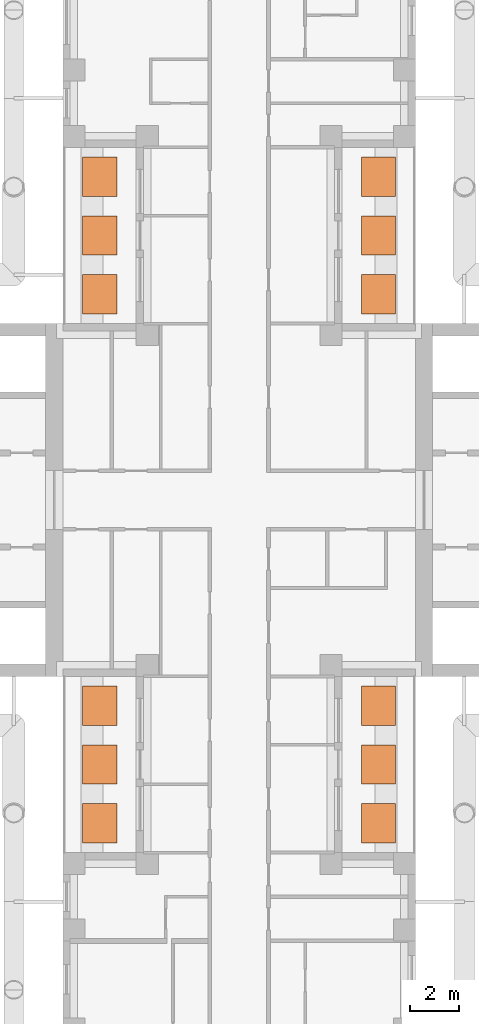
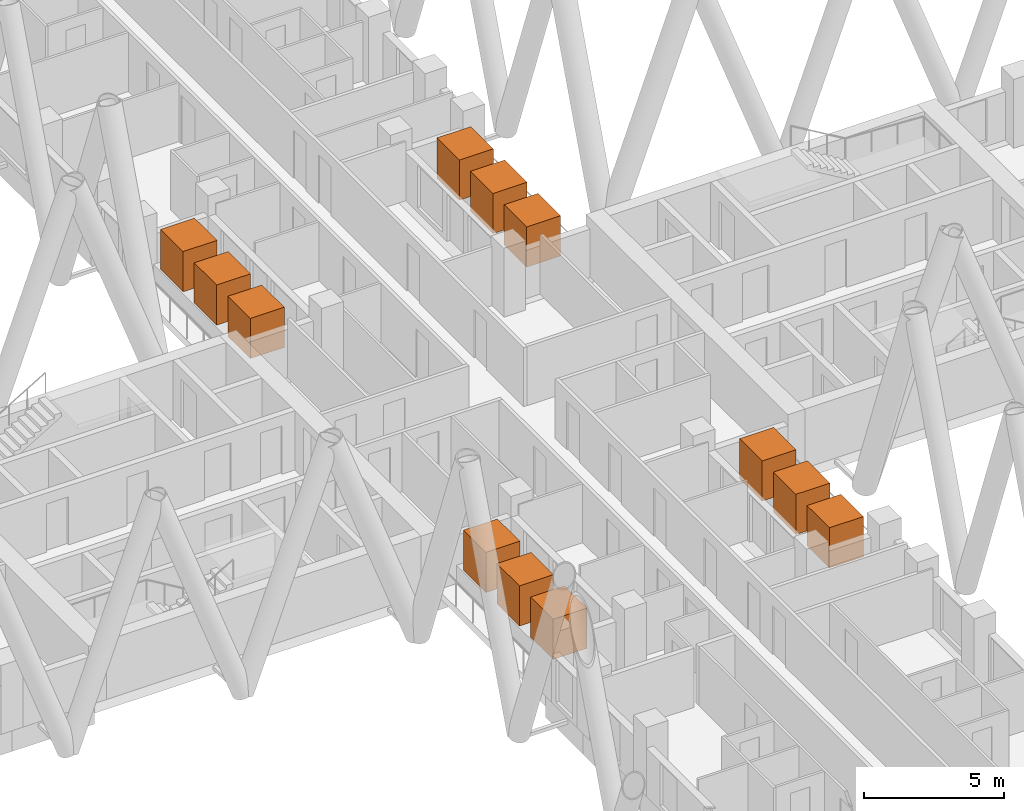
# One storey, part 17 of 17: 12 geographic elements.
"""IFC4 building model written with IfcOpenShell, lengths in metres."""

from ifc_helpers import new_model, si_unit, direction, frame, origin, origin_2d, place, context, subcontext, project, spatial, rectangle, extrude, material, element, save


model = new_model("IFC4")

# Units and contexts
model_context = context("Model", 3, precision=1e-05, world=origin(), true_north=direction((0.0, 1.0)))
body_context = subcontext(model_context, "Body", "Model", "MODEL_VIEW")
ifc_project = project(units=[si_unit("LENGTHUNIT", "METRE"), si_unit("AREAUNIT", "SQUARE_METRE"), si_unit("VOLUMEUNIT", "CUBIC_METRE"), si_unit("PLANEANGLEUNIT", "RADIAN"), si_unit("MASSUNIT", "GRAM", prefix="KILO")], contexts=[model_context])

# Site, building, storey
site_placement = place(None, origin())
site = spatial("IfcSite", under=ifc_project, at=site_placement, CompositionType="ELEMENT")
building_placement = place(site_placement, origin())
building = spatial("IfcBuilding", under=site, at=building_placement, Name="Fustian Cross Tower", CompositionType="ELEMENT")
storey_placement = place(building_placement, frame((0.0, 0.0, 56.699951171875)))
storey = spatial("IfcBuildingStorey", under=building, at=storey_placement, Name="L17", CompositionType="ELEMENT", Elevation=56.699951171875)

# Geographic elements
ifc_material = material(Name="Evergreen foliage")
for number, where, z_axis, x_axis, name in (
    (1, (5.68994140625, 8.39990234375, 0.800048828125), (0.0, 0.0, 1.0), (1.0, 0.0, 0.0), "TREE field maple"),
    (2, (5.68994140625, 10.800048828125, 0.800048828125), (0.0, 0.0, 1.0), (1.0, 0.0, 0.0), "TREE field maple"),
    (3, (5.68994140625, 13.199951171875, 0.800048828125), (0.0, 0.0, 1.0), (1.0, 0.0, 0.0), "TREE field maple"),
    (4, (-5.68994140625, 8.39990234375, 0.800048828125), (0.0, 0.0, 1.0), (1.0, 0.0, 0.0), "TREE field maple"),
    (5, (-5.68994140625, 10.800048828125, 0.800048828125), (0.0, 0.0, 1.0), (1.0, 0.0, 0.0), "TREE field maple"),
    (6, (-5.68994140625, 13.199951171875, 0.800048828125), (0.0, 0.0, 1.0), (1.0, 0.0, 0.0), "TREE field maple"),
    (7, (5.68994140625, -13.199951171875, 0.800048828125), (0.0, 0.0, 1.0), (1.0, 0.0, 0.0), "TREE field maple"),
    (8, (5.68994140625, -10.800048828125, 0.800048828125), (0.0, 0.0, 1.0), (1.0, 0.0, 0.0), "TREE field maple"),
    (9, (5.68994140625, -8.39990234375, 0.800048828125), (0.0, 0.0, 1.0), (1.0, 0.0, 0.0), "TREE field maple"),
    (10, (-5.68994140625, -13.199951171875, 0.800048828125), (0.0, 0.0, 1.0), (1.0, 0.0, 0.0), "TREE field maple"),
    (11, (-5.68994140625, -10.800048828125, 0.800048828125), (0.0, 0.0, 1.0), (1.0, 0.0, 0.0), "TREE field maple"),
    (12, (-5.68994140625, -8.39990234375, 0.800048828125), (0.0, 0.0, 1.0), (1.0, 0.0, 0.0), "TREE field maple"),
):
    element("IfcGeographicElement", number, at=place(storey_placement, frame(where, z_axis=z_axis, x_axis=x_axis)), inside=storey, material=ifc_material, Name=name, ObjectType="VEGETATION", PredefinedType="USERDEFINED", context=body_context, shape_type="SweptSolid", body=[
        extrude(rectangle(XDim=1.39990234375, YDim=1.60009765625, at=origin_2d()), origin(), (0.0, 0.0, 1.0), 1.75),
    ])

save(model, "model.ifc")
